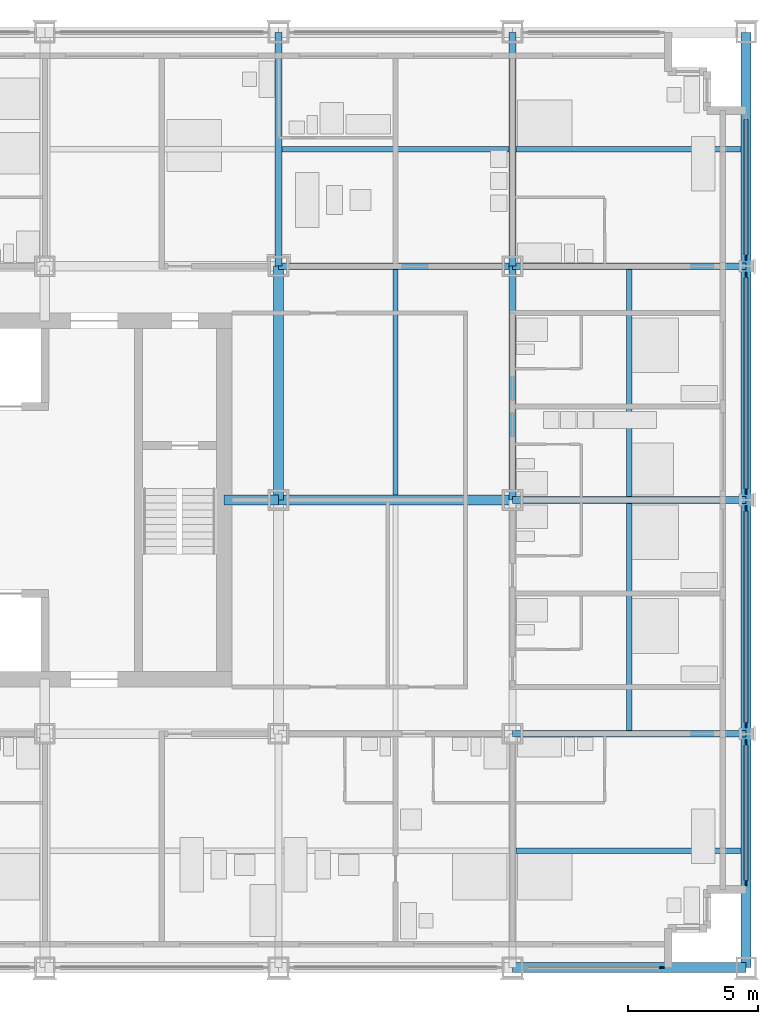
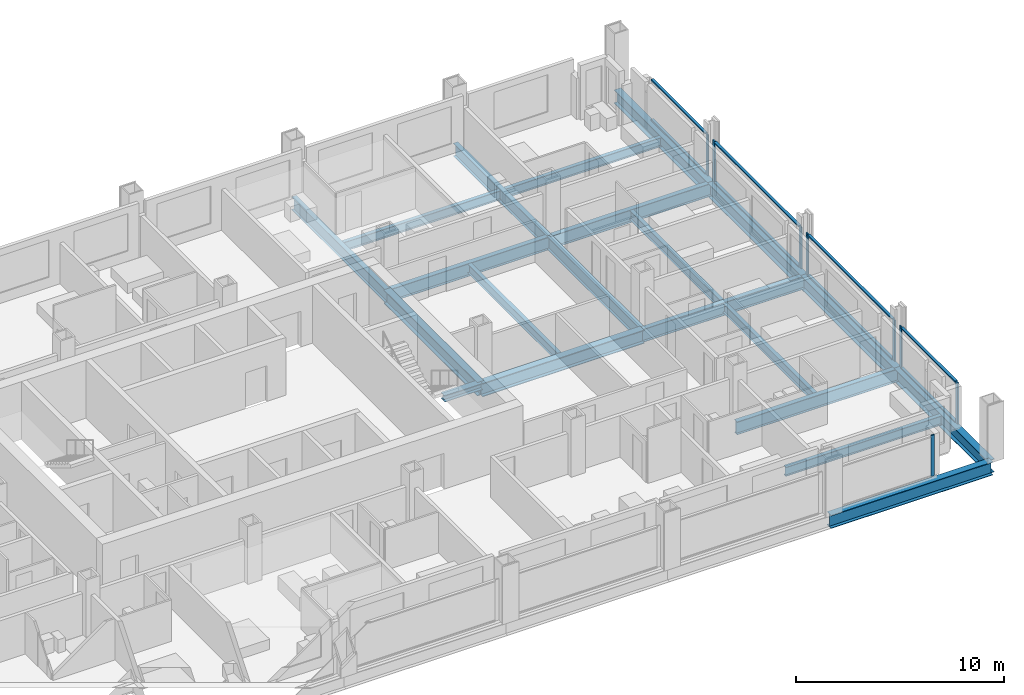
# One storey, part 6 of 18: 20 beams, 17 members, 5 elements without a shape of their own.
"""IFC4 building model written with IfcOpenShell, lengths in metres."""

from ifc_helpers import new_model, si_unit, direction, frame, origin, origin_2d, place, context, subcontext, project, spatial, rectangle, i_section, extrude, material, material_profile, profile_set, type_object, element, aggregate, save


model = new_model("IFC4")

# Units and contexts
model_context = context("Model", 3, precision=1e-05, world=origin(), true_north=direction((0.0, 1.0)))
body_context = subcontext(model_context, "Body", "Model", "MODEL_VIEW")
ifc_project = project(units=[si_unit("LENGTHUNIT", "METRE"), si_unit("AREAUNIT", "SQUARE_METRE"), si_unit("VOLUMEUNIT", "CUBIC_METRE"), si_unit("PLANEANGLEUNIT", "RADIAN"), si_unit("MASSUNIT", "GRAM", prefix="KILO")], contexts=[model_context])

# Site, building, storey
site_placement = place(None, origin())
site = spatial("IfcSite", under=ifc_project, at=site_placement, CompositionType="ELEMENT")
building_placement = place(site_placement, origin())
building = spatial("IfcBuilding", under=site, at=building_placement, Name="Loomwork Tower", CompositionType="ELEMENT")
storey_placement = place(building_placement, frame((0.0, 0.0, 55.199951171875)))
storey = spatial("IfcBuildingStorey", under=building, at=storey_placement, Name="L13", CompositionType="ELEMENT", Elevation=55.199951171875)

# Beams
ifc_material_1 = material(Name="Steel ASTM A992", Category="steel")
ifc_material_profile_1 = material_profile(ifc_material_1, i_section(OverallWidth=0.383544921875, OverallDepth=0.794921875, WebThickness=0.02099609375, FlangeThickness=0.0380859375, at=origin_2d()), Name="W30x235")
ifc_profile_set_1 = profile_set([ifc_material_profile_1], Name="Steel ASTM A992")
beam_type_1 = type_object("IfcBeamType", Name="CORE FLANK GIRDER W30x235", PredefinedType="BEAM", material=ifc_profile_set_1)
for number, where, z_axis, x_axis, name in (
    (1, (36.0, 18.0, -0.597412109375), (1.0, 0.0, 0.0), (0.0, 1.0, 0.0), "Core Flank Girder F/6-F/7 L13"),
    (2, (36.0, 18.0, -0.597412109375), (0.0, 1.0, 0.0), (-1.0, 0.0, 0.0), "Core Flank Girder F/6-G/6 L13"),
):
    element("IfcBeam", number, at=place(storey_placement, frame(where, z_axis=z_axis, x_axis=x_axis)), inside=storey, type_object=beam_type_1, Name=name, PredefinedType="BEAM", context=body_context, shape_type="SweptSolid", body=[
        extrude(i_section(OverallWidth=0.383544921875, OverallDepth=0.794921875, WebThickness=0.02099609375, FlangeThickness=0.0380859375, at=origin_2d()), origin(), (0.0, 0.0, 1.0), 9.0),
    ])

# Member
ifc_material_2 = material(Name="Steel ASTM A992", Category="steel")
ifc_material_profile_2 = material_profile(ifc_material_2, i_section(OverallWidth=0.373291015625, OverallDepth=0.373291015625, WebThickness=0.016357421875, FlangeThickness=0.026123046875, at=origin_2d()), Name="W14x132")
ifc_profile_set_2 = profile_set([ifc_material_profile_2], Name="Steel ASTM A992")
member_type_1 = type_object("IfcMemberType", Name="CORE LINK STRUT W14x132", PredefinedType="STRUT", material=ifc_profile_set_2)
member_1_placement = place(storey_placement, frame((36.0, 18.0, -0.38671875), z_axis=(-1.0, 0.0, 0.0), x_axis=(0.0, -1.0, 0.0)))
element("IfcMember", 3, at=member_1_placement, inside=storey, type_object=member_type_1, Name="Core link strut F/6-33.900,18.000 L13", PredefinedType="STRUT", context=body_context, shape_type="SweptSolid", body=[
    extrude(i_section(OverallWidth=0.373291015625, OverallDepth=0.373291015625, WebThickness=0.016357421875, FlangeThickness=0.026123046875, at=origin_2d()), origin(), (0.0, 0.0, 1.0), 2.10009765625),
])

# Beams
ifc_material_3 = material(Name="Steel ASTM A992", Category="steel")
ifc_material_profile_3 = material_profile(ifc_material_3, i_section(OverallWidth=0.2666015625, OverallDepth=0.761962890625, WebThickness=0.014404296875, FlangeThickness=0.021484375, at=origin_2d()), Name="W30x116")
ifc_profile_set_3 = profile_set([ifc_material_profile_3], Name="Steel ASTM A992")
beam_type_2 = type_object("IfcBeamType", Name="FLOOR GIRDER W30x116", PredefinedType="BEAM", material=ifc_profile_set_3)
for number, where, z_axis, x_axis, name in (
    (4, (45.0, 9.0, -0.5810546875), (1.0, 0.0, 0.0), (0.0, 1.0, 0.0), "Floor Girder E/7-E/8 L13"),
    (5, (45.0, 18.0, -0.5810546875), (1.0, 0.0, 0.0), (0.0, 1.0, 0.0), "Floor Girder F/7-F/8 L13"),
    (6, (36.0, 27.0, -0.5810546875), (1.0, 0.0, 0.0), (0.0, 1.0, 0.0), "Floor Girder G/6-G/7 L13"),
    (7, (45.0, 27.0, -0.5810546875), (1.0, 0.0, 0.0), (0.0, 1.0, 0.0), "Floor Girder G/7-G/8 L13"),
    (8, (36.0, 27.0, -0.5810546875), (0.0, 1.0, 0.0), (-1.0, 0.0, 0.0), "Floor Girder G/6-H/6 L13"),
    (9, (45.0, 18.0, -0.5810546875), (0.0, 1.0, 0.0), (-1.0, 0.0, 0.0), "Floor Girder F/7-G/7 L13"),
    (10, (45.0, 27.0, -0.5810546875), (0.0, 1.0, 0.0), (-1.0, 0.0, 0.0), "Floor Girder G/7-H/7 L13"),
):
    element("IfcBeam", number, at=place(storey_placement, frame(where, z_axis=z_axis, x_axis=x_axis)), inside=storey, type_object=beam_type_2, Name=name, PredefinedType="BEAM", context=body_context, shape_type="SweptSolid", body=[
        extrude(i_section(OverallWidth=0.2666015625, OverallDepth=0.761962890625, WebThickness=0.014404296875, FlangeThickness=0.021484375, at=origin_2d()), origin(), (0.0, 0.0, 1.0), 9.0),
    ])
ifc_material_4 = material(Name="Steel ASTM A992", Category="steel")
ifc_material_profile_4 = material_profile(ifc_material_4, i_section(OverallWidth=0.2109375, OverallDepth=0.53857421875, WebThickness=0.011474609375, FlangeThickness=0.018798828125, at=origin_2d()), Name="W21x73")
ifc_profile_set_4 = profile_set([ifc_material_profile_4], Name="Steel ASTM A992")
beam_type_3 = type_object("IfcBeamType", Name="FLOOR JOIST W21x73", PredefinedType="JOIST", material=ifc_profile_set_4)
beam_1_placement = place(storey_placement, frame((40.5, 18.19091796875, -0.46923828125), z_axis=(0.0, 1.0, 0.0), x_axis=(-1.0, 0.0, 0.0)))
element("IfcBeam", 11, at=beam_1_placement, inside=storey, type_object=beam_type_3, Name="Floor Joist 40.500,18.000-40.500,27.000 L13", PredefinedType="JOIST", context=body_context, shape_type="SweptSolid", body=[
    extrude(i_section(OverallWidth=0.2109375, OverallDepth=0.53857421875, WebThickness=0.011474609375, FlangeThickness=0.018798828125, at=origin_2d()), origin(), (0.0, 0.0, 1.0), 8.676025390625),
])
beam_2_placement = place(storey_placement, frame((36.133056640625, 31.5, -0.46923828125), z_axis=(1.0, 0.0, 0.0), x_axis=(0.0, 1.0, 0.0)))
element("IfcBeam", 12, at=beam_2_placement, inside=storey, type_object=beam_type_3, Name="Floor Joist 36.000,31.500-45.000,31.500 L13", PredefinedType="JOIST", context=body_context, shape_type="SweptSolid", body=[
    extrude(i_section(OverallWidth=0.2109375, OverallDepth=0.53857421875, WebThickness=0.011474609375, FlangeThickness=0.018798828125, at=origin_2d()), origin(), (0.0, 0.0, 1.0), 8.73388671875),
])
beam_3_placement = place(storey_placement, frame((45.133056640625, 4.5, -0.46923828125), z_axis=(1.0, 0.0, 0.0), x_axis=(0.0, 1.0, 0.0)))
element("IfcBeam", 13, at=beam_3_placement, inside=storey, type_object=beam_type_3, Name="Floor Joist 45.000,4.500-54.000,4.500 L13", PredefinedType="JOIST", context=body_context, shape_type="SweptSolid", body=[
    extrude(i_section(OverallWidth=0.2109375, OverallDepth=0.53857421875, WebThickness=0.011474609375, FlangeThickness=0.018798828125, at=origin_2d()), origin(), (0.0, 0.0, 1.0), 8.677001953125),
])
for number, where, z_axis, x_axis, name in (
    (14, (49.5, 9.133056640625, -0.46923828125), (0.0, 1.0, 0.0), (-1.0, 0.0, 0.0), "Floor Joist 49.500,9.000-49.500,18.000 L13"),
    (15, (49.5, 18.133056640625, -0.46923828125), (0.0, 1.0, 0.0), (-1.0, 0.0, 0.0), "Floor Joist 49.500,18.000-49.500,27.000 L13"),
):
    element("IfcBeam", number, at=place(storey_placement, frame(where, z_axis=z_axis, x_axis=x_axis)), inside=storey, type_object=beam_type_3, Name=name, PredefinedType="JOIST", context=body_context, shape_type="SweptSolid", body=[
        extrude(i_section(OverallWidth=0.2109375, OverallDepth=0.53857421875, WebThickness=0.011474609375, FlangeThickness=0.018798828125, at=origin_2d()), origin(), (0.0, 0.0, 1.0), 8.73388671875),
    ])
beam_4_placement = place(storey_placement, frame((45.133056640625, 31.5, -0.46923828125), z_axis=(1.0, 0.0, 0.0), x_axis=(0.0, 1.0, 0.0)))
element("IfcBeam", 16, at=beam_4_placement, inside=storey, type_object=beam_type_3, Name="Floor Joist 45.000,31.500-54.000,31.500 L13", PredefinedType="JOIST", context=body_context, shape_type="SweptSolid", body=[
    extrude(i_section(OverallWidth=0.2109375, OverallDepth=0.53857421875, WebThickness=0.011474609375, FlangeThickness=0.018798828125, at=origin_2d()), origin(), (0.0, 0.0, 1.0), 8.677001953125),
])

# Curtain wall, member
ifc_material_5 = material(Name="Aluminium curtain wall frame", Category="aluminium")
curtain_wall_type = type_object("IfcCurtainWallType", Name="Outer skin glazing hotel", PredefinedType="NOTDEFINED", material=ifc_material_5)
curtain_wall_1_placement = place(storey_placement, origin())
curtain_wall_1 = element("IfcCurtainWall", 17, at=curtain_wall_1_placement, inside=storey, type_object=curtain_wall_type, Name="Outer skin glazing hotel cw/S-45", PredefinedType="NOTDEFINED")
ifc_material_6 = material(Name="Aluminium curtain wall frame", Category="aluminium")
ifc_material_profile_5 = material_profile(ifc_material_6, rectangle(XDim=0.06494140625, YDim=0.199951171875, at=origin_2d()), Name="AL 65x200")
ifc_profile_set_5 = profile_set([ifc_material_profile_5], Name="Aluminium curtain wall frame")
member_type_2 = type_object("IfcMemberType", Name="Outer skin glazing hotel mullion", PredefinedType="MULLION", material=ifc_profile_set_5)
member_2_placement = place(storey_placement, frame((50.75, 0.0, 0.0), z_axis=(0.0, 0.0, 1.0), x_axis=(0.0, 1.0, 0.0)))
member_2 = element("IfcMember", 18, at=member_2_placement, type_object=member_type_2, Name="CW1 mullion 2", PredefinedType="MULLION", context=body_context, shape_type="SweptSolid", body=[
    extrude(rectangle(XDim=0.06494140625, YDim=0.199951171875, at=origin_2d()), origin(), (0.0, 0.0, 1.0), 2.420166015625),
])
aggregate(curtain_wall_1, [member_2])

# Curtain wall, members
curtain_wall_2_placement = place(storey_placement, origin())
curtain_wall_2 = element("IfcCurtainWall", 19, at=curtain_wall_2_placement, inside=storey, type_object=curtain_wall_type, Name="Outer skin glazing hotel cw/E-0", PredefinedType="NOTDEFINED")
member_3_placement = place(storey_placement, frame((54.0, 3.25, 0.0), z_axis=(0.0, 0.0, 1.0), x_axis=(-1.0, 0.0, 0.0)))
member_3 = element("IfcMember", 20, at=member_3_placement, type_object=member_type_2, Name="CW1 mullion 1", PredefinedType="MULLION", context=body_context, shape_type="SweptSolid", body=[
    extrude(rectangle(XDim=0.06494140625, YDim=0.199951171875, at=origin_2d()), origin(), (0.0, 0.0, 1.0), 2.420166015625),
])
member_4_placement = place(storey_placement, frame((54.0, 8.672607421875, 0.0), z_axis=(0.0, 0.0, 1.0), x_axis=(-1.0, 0.0, 0.0)))
member_4 = element("IfcMember", 21, at=member_4_placement, type_object=member_type_2, Name="CW1 mullion 2", PredefinedType="MULLION", context=body_context, shape_type="SweptSolid", body=[
    extrude(rectangle(XDim=0.06494140625, YDim=0.199951171875, at=origin_2d()), origin(), (0.0, 0.0, 1.0), 2.420166015625),
])

curtain_wall_3_placement = place(storey_placement, origin())
curtain_wall_3 = element("IfcCurtainWall", 22, at=curtain_wall_3_placement, inside=storey, type_object=curtain_wall_type, Name="Outer skin glazing hotel cw/E-9", PredefinedType="NOTDEFINED")
member_5_placement = place(storey_placement, frame((54.0, 9.327392578125, 0.0), z_axis=(0.0, 0.0, 1.0), x_axis=(-1.0, 0.0, 0.0)))
member_5 = element("IfcMember", 23, at=member_5_placement, type_object=member_type_2, Name="CW1 mullion 1", PredefinedType="MULLION", context=body_context, shape_type="SweptSolid", body=[
    extrude(rectangle(XDim=0.06494140625, YDim=0.199951171875, at=origin_2d()), origin(), (0.0, 0.0, 1.0), 2.420166015625),
])
member_6_placement = place(storey_placement, frame((54.0, 17.672607421875, 0.0), z_axis=(0.0, 0.0, 1.0), x_axis=(-1.0, 0.0, 0.0)))
member_6 = element("IfcMember", 24, at=member_6_placement, type_object=member_type_2, Name="CW1 mullion 2", PredefinedType="MULLION", context=body_context, shape_type="SweptSolid", body=[
    extrude(rectangle(XDim=0.06494140625, YDim=0.199951171875, at=origin_2d()), origin(), (0.0, 0.0, 1.0), 2.420166015625),
])

curtain_wall_4_placement = place(storey_placement, origin())
curtain_wall_4 = element("IfcCurtainWall", 25, at=curtain_wall_4_placement, inside=storey, type_object=curtain_wall_type, Name="Outer skin glazing hotel cw/E-18", PredefinedType="NOTDEFINED")
member_7_placement = place(storey_placement, frame((54.0, 18.327392578125, 0.0), z_axis=(0.0, 0.0, 1.0), x_axis=(-1.0, 0.0, 0.0)))
member_7 = element("IfcMember", 26, at=member_7_placement, type_object=member_type_2, Name="CW1 mullion 1", PredefinedType="MULLION", context=body_context, shape_type="SweptSolid", body=[
    extrude(rectangle(XDim=0.06494140625, YDim=0.199951171875, at=origin_2d()), origin(), (0.0, 0.0, 1.0), 2.420166015625),
])
member_8_placement = place(storey_placement, frame((54.0, 26.672607421875, 0.0), z_axis=(0.0, 0.0, 1.0), x_axis=(-1.0, 0.0, 0.0)))
member_8 = element("IfcMember", 27, at=member_8_placement, type_object=member_type_2, Name="CW1 mullion 2", PredefinedType="MULLION", context=body_context, shape_type="SweptSolid", body=[
    extrude(rectangle(XDim=0.06494140625, YDim=0.199951171875, at=origin_2d()), origin(), (0.0, 0.0, 1.0), 2.420166015625),
])

# Curtain wall, member
curtain_wall_5_placement = place(storey_placement, origin())
curtain_wall_5 = element("IfcCurtainWall", 28, at=curtain_wall_5_placement, inside=storey, type_object=curtain_wall_type, Name="Outer skin glazing hotel cw/E-27", PredefinedType="NOTDEFINED")
member_9_placement = place(storey_placement, frame((54.0, 27.327392578125, 0.0), z_axis=(0.0, 0.0, 1.0), x_axis=(-1.0, 0.0, 0.0)))
member_9 = element("IfcMember", 29, at=member_9_placement, type_object=member_type_2, Name="CW1 mullion 1", PredefinedType="MULLION", context=body_context, shape_type="SweptSolid", body=[
    extrude(rectangle(XDim=0.06494140625, YDim=0.199951171875, at=origin_2d()), origin(), (0.0, 0.0, 1.0), 2.420166015625),
])

# Member
ifc_material_7 = material(Name="Aluminium curtain wall frame", Category="aluminium")
ifc_material_profile_6 = material_profile(ifc_material_7, rectangle(XDim=0.14990234375, YDim=0.06494140625, at=origin_2d()), Name="AL 65x150")
ifc_profile_set_6 = profile_set([ifc_material_profile_6], Name="Aluminium curtain wall frame")
member_type_3 = type_object("IfcMemberType", Name="Outer skin glazing hotel transom", PredefinedType="USERDEFINED", material=ifc_profile_set_6)
member_10_placement = place(storey_placement, frame((54.0, 3.35009765625, 0.032470703125), z_axis=(0.0, 1.0, 0.0), x_axis=(-1.0, 0.0, 0.0)))
member_10 = element("IfcMember", 30, at=member_10_placement, type_object=member_type_3, Name="CW1 transom 1.1", ObjectType="TRANSOM", PredefinedType="USERDEFINED", context=body_context, shape_type="SweptSolid", body=[
    extrude(rectangle(XDim=0.14990234375, YDim=0.06494140625, at=origin_2d()), origin(), (0.0, 0.0, 1.0), 5.22265625),
])

member_11_placement = place(storey_placement, frame((54.0, 3.35009765625, 2.3876953125), z_axis=(0.0, 1.0, 0.0), x_axis=(-1.0, 0.0, 0.0)))
member_11 = element("IfcMember", 31, at=member_11_placement, type_object=member_type_3, Name="CW1 transom 1.2", ObjectType="TRANSOM", PredefinedType="USERDEFINED", context=body_context, shape_type="SweptSolid", body=[
    extrude(rectangle(XDim=0.14990234375, YDim=0.06494140625, at=origin_2d()), origin(), (0.0, 0.0, 1.0), 5.22265625),
])

aggregate(curtain_wall_2, [member_3, member_4, member_10, member_11])

member_12_placement = place(storey_placement, frame((54.0, 9.42724609375, 0.032470703125), z_axis=(0.0, 1.0, 0.0), x_axis=(-1.0, 0.0, 0.0)))
member_12 = element("IfcMember", 32, at=member_12_placement, type_object=member_type_3, Name="CW1 transom 1.1", ObjectType="TRANSOM", PredefinedType="USERDEFINED", context=body_context, shape_type="SweptSolid", body=[
    extrude(rectangle(XDim=0.14990234375, YDim=0.06494140625, at=origin_2d()), origin(), (0.0, 0.0, 1.0), 8.1455078125),
])

member_13_placement = place(storey_placement, frame((54.0, 9.42724609375, 2.3876953125), z_axis=(0.0, 1.0, 0.0), x_axis=(-1.0, 0.0, 0.0)))
member_13 = element("IfcMember", 33, at=member_13_placement, type_object=member_type_3, Name="CW1 transom 1.2", ObjectType="TRANSOM", PredefinedType="USERDEFINED", context=body_context, shape_type="SweptSolid", body=[
    extrude(rectangle(XDim=0.14990234375, YDim=0.06494140625, at=origin_2d()), origin(), (0.0, 0.0, 1.0), 8.1455078125),
])

aggregate(curtain_wall_3, [member_5, member_6, member_12, member_13])

member_14_placement = place(storey_placement, frame((54.0, 18.42724609375, 0.032470703125), z_axis=(0.0, 1.0, 0.0), x_axis=(-1.0, 0.0, 0.0)))
member_14 = element("IfcMember", 34, at=member_14_placement, type_object=member_type_3, Name="CW1 transom 1.1", ObjectType="TRANSOM", PredefinedType="USERDEFINED", context=body_context, shape_type="SweptSolid", body=[
    extrude(rectangle(XDim=0.14990234375, YDim=0.06494140625, at=origin_2d()), origin(), (0.0, 0.0, 1.0), 8.1455078125),
])

member_15_placement = place(storey_placement, frame((54.0, 18.42724609375, 2.3876953125), z_axis=(0.0, 1.0, 0.0), x_axis=(-1.0, 0.0, 0.0)))
member_15 = element("IfcMember", 35, at=member_15_placement, type_object=member_type_3, Name="CW1 transom 1.2", ObjectType="TRANSOM", PredefinedType="USERDEFINED", context=body_context, shape_type="SweptSolid", body=[
    extrude(rectangle(XDim=0.14990234375, YDim=0.06494140625, at=origin_2d()), origin(), (0.0, 0.0, 1.0), 8.1455078125),
])

aggregate(curtain_wall_4, [member_7, member_8, member_14, member_15])

member_16_placement = place(storey_placement, frame((54.0, 27.42724609375, 0.032470703125), z_axis=(0.0, 1.0, 0.0), x_axis=(-1.0, 0.0, 0.0)))
member_16 = element("IfcMember", 36, at=member_16_placement, type_object=member_type_3, Name="CW1 transom 1.1", ObjectType="TRANSOM", PredefinedType="USERDEFINED", context=body_context, shape_type="SweptSolid", body=[
    extrude(rectangle(XDim=0.14990234375, YDim=0.06494140625, at=origin_2d()), origin(), (0.0, 0.0, 1.0), 5.22265625),
])

member_17_placement = place(storey_placement, frame((54.0, 27.42724609375, 2.3876953125), z_axis=(0.0, 1.0, 0.0), x_axis=(-1.0, 0.0, 0.0)))
member_17 = element("IfcMember", 37, at=member_17_placement, type_object=member_type_3, Name="CW1 transom 1.2", ObjectType="TRANSOM", PredefinedType="USERDEFINED", context=body_context, shape_type="SweptSolid", body=[
    extrude(rectangle(XDim=0.14990234375, YDim=0.06494140625, at=origin_2d()), origin(), (0.0, 0.0, 1.0), 5.22265625),
])

aggregate(curtain_wall_5, [member_9, member_16, member_17])

# Beams
ifc_material_8 = material(Name="Steel ASTM A992", Category="steel")
ifc_material_profile_7 = material_profile(ifc_material_8, i_section(OverallWidth=0.381103515625, OverallDepth=0.77978515625, WebThickness=0.01806640625, FlangeThickness=0.0302734375, at=origin_2d()), Name="W30x191")
ifc_profile_set_7 = profile_set([ifc_material_profile_7], Name="Steel ASTM A992")
beam_type_4 = type_object("IfcBeamType", Name="SPANDREL GIRDER W30x191", PredefinedType="SPANDREL", material=ifc_profile_set_7)
for number, where, z_axis, x_axis, name in (
    (38, (45.0, 0.0, -0.58984375), (1.0, 0.0, 0.0), (0.0, 1.0, 0.0), "Spandrel Girder D/7-D/8 L13"),
    (39, (54.0, 0.0, -0.58984375), (0.0, 1.0, 0.0), (-1.0, 0.0, 0.0), "Spandrel Girder D/8-E/8 L13"),
    (40, (54.0, 9.0, -0.58984375), (0.0, 1.0, 0.0), (-1.0, 0.0, 0.0), "Spandrel Girder E/8-F/8 L13"),
    (41, (54.0, 18.0, -0.58984375), (0.0, 1.0, 0.0), (-1.0, 0.0, 0.0), "Spandrel Girder F/8-G/8 L13"),
    (42, (54.0, 27.0, -0.58984375), (0.0, 1.0, 0.0), (-1.0, 0.0, 0.0), "Spandrel Girder G/8-H/8 L13"),
):
    element("IfcBeam", number, at=place(storey_placement, frame(where, z_axis=z_axis, x_axis=x_axis)), inside=storey, type_object=beam_type_4, Name=name, PredefinedType="SPANDREL", context=body_context, shape_type="SweptSolid", body=[
        extrude(i_section(OverallWidth=0.381103515625, OverallDepth=0.77978515625, WebThickness=0.01806640625, FlangeThickness=0.0302734375, at=origin_2d()), origin(), (0.0, 0.0, 1.0), 9.0),
    ])

save(model, "model.ifc")
